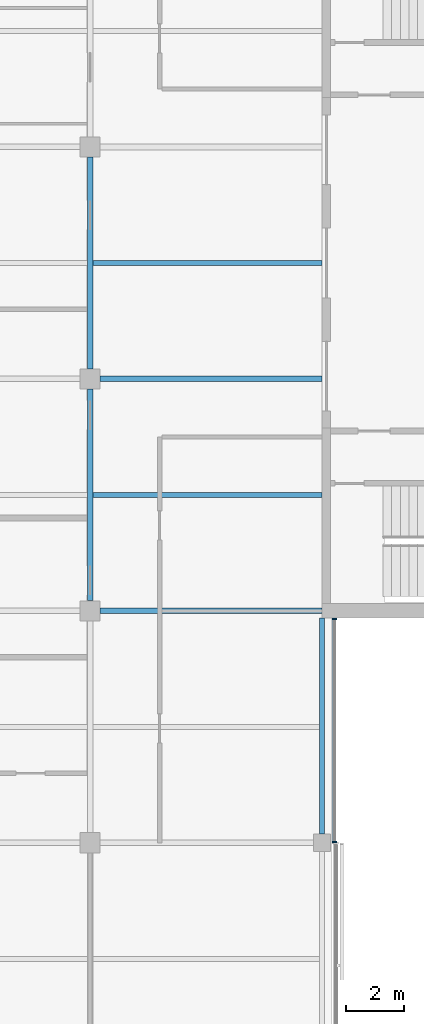
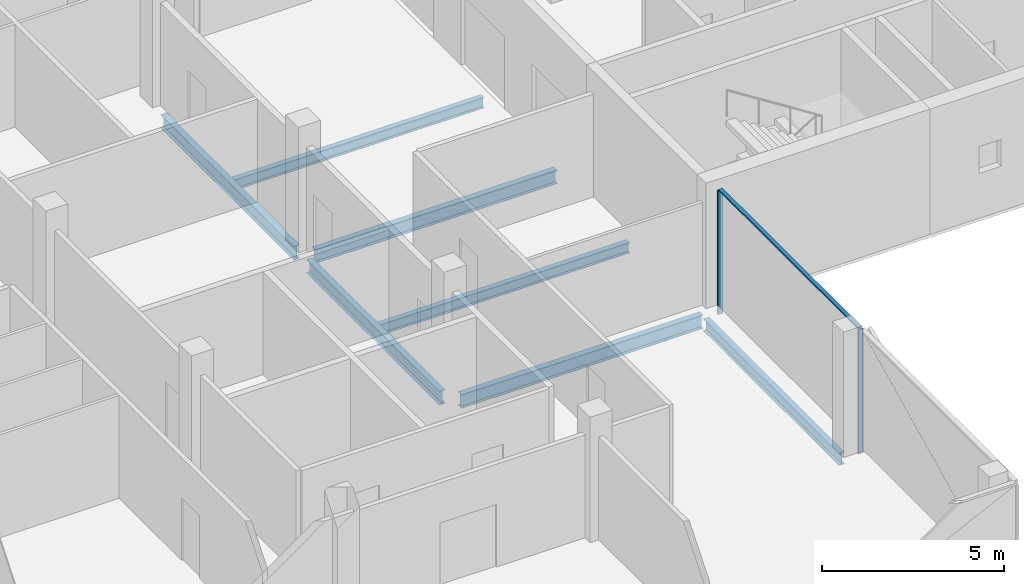
# One storey, part 4 of 16: 7 beams, 3 members, 1 element without a shape of its own.
"""IFC4 building model written with IfcOpenShell, lengths in metres."""

import ifcopenshell
import ifcopenshell.guid

model = None  # the IFC model being written
_history = None  # IfcOwnerHistory: only IFC2X3 demands one
_inside = {}  # id of a spatial element -> (the spatial element, [elements in it])
_under = {}  # id of a project, library or spatial element -> (it, [spatial elements below it])
_declared = {}  # id of a project -> (the project, [libraries it declares])
_typed = {}  # id of a type object -> (the type object, [elements of that type])
_made_of = {}  # id of a material, layer set ... -> (it, [elements and type objects made of it])


def new_model(schema):
    """Start an empty IFC model of exactly this schema.

    Asked for "IFC4X3", IfcOpenShell would pick the latest addendum, in which some entities
    have other attributes; the version numbers below select the first issue.
    IFC2X3 requires an IfcOwnerHistory on every rooted entity: one is made here for all.
    """
    global model, _history
    if schema == "IFC4X3":
        model = ifcopenshell.file(schema_version=(4, 3, 0, 0))
    else:
        model = ifcopenshell.file(schema=schema)
    _inside.clear()
    _under.clear()
    _declared.clear()
    _typed.clear()
    _made_of.clear()
    _history = None
    if model.schema == "IFC2X3":
        org = make("IfcOrganization", Name="unknown")
        user = make(
            "IfcPersonAndOrganization",
            ThePerson=make("IfcPerson", FamilyName="unknown"),
            TheOrganization=org,
        )
        app = make(
            "IfcApplication",
            ApplicationDeveloper=org,
            Version="unknown",
            ApplicationFullName="unknown",
            ApplicationIdentifier="unknown",
        )
        _history = make(
            "IfcOwnerHistory",
            OwningUser=user,
            OwningApplication=app,
            ChangeAction="ADDED",
            CreationDate=0,
        )
    return model


def make(cls, **values):
    """One entity of the class cls with the attributes given. An attribute that is None is left unset."""
    return model.create_entity(
        cls, **{name: value for name, value in values.items() if value is not None}
    )


def rooted(cls, **values):
    """An entity with a GlobalId (a new one), such as an element, a storey or a relation."""
    return make(cls, GlobalId=ifcopenshell.guid.new(), OwnerHistory=_history, **values)


def si_unit(unit_type, name, prefix=None):
    """IfcSIUnit, for example si_unit("LENGTHUNIT", "METRE", prefix="MILLI")."""
    return make("IfcSIUnit", UnitType=unit_type, Prefix=prefix, Name=name)


def assignment(units):
    """IfcUnitAssignment: the units of a project."""
    return None if units is None else make("IfcUnitAssignment", Units=units)


def point(xyz):
    """IfcCartesianPoint."""
    return None if xyz is None else make("IfcCartesianPoint", Coordinates=xyz)


def direction(xyz):
    """IfcDirection."""
    return None if xyz is None else make("IfcDirection", DirectionRatios=xyz)


def frame(location, z_axis=None, x_axis=None):
    """IfcAxis2Placement3D, a coordinate frame: its origin and axes. An axis left out is left unset."""
    return make(
        "IfcAxis2Placement3D",
        Location=point(location),
        Axis=direction(z_axis),
        RefDirection=direction(x_axis),
    )


def frame_2d(location, x_axis=None):
    """IfcAxis2Placement2D, a coordinate frame in the plane: its origin and x axis."""
    return make(
        "IfcAxis2Placement2D", Location=point(location), RefDirection=direction(x_axis)
    )


def origin():
    """The frame at (0, 0, 0) with its axes left unset."""
    return frame((0.0, 0.0, 0.0))


def origin_2d():
    """The frame at (0, 0) in the plane with its x axis left unset."""
    return frame_2d((0.0, 0.0))


def place(relative_to, where):
    """IfcLocalPlacement: puts the frame where relative to a parent placement (None: the world)."""
    return make(
        "IfcLocalPlacement", PlacementRelTo=relative_to, RelativePlacement=where
    )


def context(
    kind, dimensions, precision=None, world=None, true_north=None, identifier=None
):
    """IfcGeometricRepresentationContext, for example the 3D "Model" context."""
    return make(
        "IfcGeometricRepresentationContext",
        ContextIdentifier=identifier,
        ContextType=kind,
        CoordinateSpaceDimension=dimensions,
        Precision=precision,
        WorldCoordinateSystem=world,
        TrueNorth=true_north,
    )


def subcontext(parent, identifier, kind, view, scale=None):
    """IfcGeometricRepresentationSubContext, for example "Body" below "Model"."""
    return make(
        "IfcGeometricRepresentationSubContext",
        ContextIdentifier=identifier,
        ContextType=kind,
        ParentContext=parent,
        TargetScale=scale,
        TargetView=view,
    )


def project(units=None, contexts=None):
    """IfcProject with its units and contexts."""
    return rooted(
        "IfcProject",
        Name="project",
        RepresentationContexts=contexts,
        UnitsInContext=assignment(units),
    )


def spatial(cls, under=None, at=None, **own):
    """A site, building, storey or space (cls), placed at a placement, below another one or the project."""
    s = rooted(cls, ObjectPlacement=at, **own)
    if under is not None:
        _under.setdefault(under.id(), (under, []))[1].append(s)
    return s


def profile(cls, at=None, kind="AREA", **sizes):
    """A parametric profile (cls). Its sizes go by their IFC names, for example OverallWidth=200.0."""
    return make(cls, ProfileType=kind, Position=at, **sizes)


def rectangle(**sizes):
    """IfcRectangleProfileDef."""
    return profile("IfcRectangleProfileDef", **sizes)


def i_section(**sizes):
    """IfcIShapeProfileDef."""
    return profile("IfcIShapeProfileDef", **sizes)


def extrude(swept, where, along, depth):
    """IfcExtrudedAreaSolid: the profile swept, set in the frame where, extruded along a direction by depth."""
    return make(
        "IfcExtrudedAreaSolid",
        SweptArea=swept,
        Position=where,
        ExtrudedDirection=direction(along),
        Depth=depth,
    )


def shape(context_of_items, identifier, shape_type, items):
    """IfcShapeRepresentation: the items that make up one representation, for example the "Body"."""
    return make(
        "IfcShapeRepresentation",
        ContextOfItems=context_of_items,
        RepresentationIdentifier=identifier,
        RepresentationType=shape_type,
        Items=items,
    )


def material(Name=None, Category=None):
    """IfcMaterial."""
    return make("IfcMaterial", Name=Name, Category=Category)


def material_profile(
    of_material, cross_section, Name=None, Category=None, Priority=None
):
    """IfcMaterialProfile: a cross section and its material."""
    return make(
        "IfcMaterialProfile",
        Name=Name,
        Material=of_material,
        Profile=cross_section,
        Priority=Priority,
        Category=Category,
    )


def profile_set(profiles, Name=None, composite=None):
    """IfcMaterialProfileSet."""
    return make(
        "IfcMaterialProfileSet",
        Name=Name,
        MaterialProfiles=profiles,
        CompositeProfile=composite,
    )


def made_of(thing, what):
    """Note that an element or type object is made of a material, layer set ...; save() writes the relation."""
    if what is not None:
        _made_of.setdefault(what.id(), (what, []))[1].append(thing)
    return thing


def type_object(cls, material=None, **own):
    """A type object (cls), such as IfcWallType, which elements share."""
    return made_of(rooted(cls, **own), material)


def element(
    cls,
    number,
    at=None,
    inside=None,
    cuts=None,
    type_object=None,
    material=None,
    context=None,
    identifier="Body",
    shape_type=None,
    held_by="IfcProductDefinitionShape",
    body=None,
    shapes=None,
    **own,
):
    """One element of the class cls, such as IfcWall. Its Tag is "e" and its number.

    at: its placement. inside: the storey or other place that contains it. cuts: it is an
    opening in that element (IfcRelVoidsElement). A single representation is given by context,
    identifier, shape_type and body (its items); several are given by shapes. held_by: the class
    of the entity that holds the representations. save() writes the other relations.
    """
    e = rooted(cls, Tag="e%d" % number, ObjectPlacement=at, **own)
    if body is not None:
        shapes = [shape(context, identifier, shape_type, body)]
    if shapes is not None:
        e.Representation = make(held_by, Representations=shapes)
    if inside is not None:
        _inside.setdefault(inside.id(), (inside, []))[1].append(e)
    if cuts is not None:
        rooted(
            "IfcRelVoidsElement", RelatingBuildingElement=cuts, RelatedOpeningElement=e
        )
    if type_object is not None:
        _typed.setdefault(type_object.id(), (type_object, []))[1].append(e)
    return made_of(e, material)


def aggregate(whole, parts):
    """IfcRelAggregates: a whole, such as a stair, and the parts it consists of."""
    return rooted("IfcRelAggregates", RelatingObject=whole, RelatedObjects=parts)


def save(model, path):
    """Write the relations noted so far, then the file.

    IfcRelAggregates (storeys below a building ...), IfcRelContainedInSpatialStructure (elements
    in a storey), IfcRelDefinesByType, IfcRelAssociatesMaterial and IfcRelDeclares: one each for
    every whole, place, type object, material and project.
    """
    for whole, parts in _under.values():
        aggregate(whole, parts)
    for where, things in _inside.values():
        rooted(
            "IfcRelContainedInSpatialStructure",
            RelatedElements=things,
            RelatingStructure=where,
        )
    for kind, things in _typed.values():
        rooted("IfcRelDefinesByType", RelatedObjects=things, RelatingType=kind)
    for what, things in _made_of.values():
        rooted("IfcRelAssociatesMaterial", RelatedObjects=things, RelatingMaterial=what)
    for by, libraries in _declared.values():
        rooted("IfcRelDeclares", RelatingContext=by, RelatedDefinitions=libraries)
    model.write(path)


model = new_model("IFC4")

# Units and contexts
model_context = context("Model", 3, precision=1e-05, world=origin(), true_north=direction((0.0, 1.0)))
body_context = subcontext(model_context, "Body", "Model", "MODEL_VIEW")
ifc_project = project(units=[si_unit("LENGTHUNIT", "METRE"), si_unit("AREAUNIT", "SQUARE_METRE"), si_unit("VOLUMEUNIT", "CUBIC_METRE"), si_unit("PLANEANGLEUNIT", "RADIAN"), si_unit("MASSUNIT", "GRAM", prefix="KILO")], contexts=[model_context])

# Site, building, storey
site_placement = place(None, origin())
site = spatial("IfcSite", under=ifc_project, at=site_placement, CompositionType="ELEMENT")
building_placement = place(site_placement, origin())
building = spatial("IfcBuilding", under=site, at=building_placement, Name="Crosswind Convention Tower", CompositionType="ELEMENT")
storey_placement = place(building_placement, frame((0.0, 0.0, 278.699951171875)))
storey = spatial("IfcBuildingStorey", under=building, at=storey_placement, Name="L60", CompositionType="ELEMENT", Elevation=278.699951171875)

# Beams
ifc_material_1 = material(Name="Steel S355", Category="steel")
ifc_material_profile_1 = material_profile(ifc_material_1, i_section(OverallWidth=0.177734375, OverallDepth=0.406494140625, WebThickness=0.0078125, FlangeThickness=0.0126953125, FilletRadius=0.01025390625, at=origin_2d()), Name="UB 406x178x60")
ifc_profile_set_1 = profile_set([ifc_material_profile_1], Name="Steel S355")
beam_type_1 = type_object("IfcBeamType", Name="Edge beam UB 406x178x60", PredefinedType="SPANDREL", material=ifc_profile_set_1)
beam_placement = place(storey_placement, frame((137.0, 80.300048828125, -0.503173828125), z_axis=(0.0, 1.0, 0.0), x_axis=(-1.0, 0.0, 0.0)))
element("IfcBeam", 1, at=beam_placement, inside=storey, type_object=beam_type_1, Name="B15 L60 edge beam 12", PredefinedType="SPANDREL", context=body_context, shape_type="SweptSolid", body=[
    extrude(i_section(OverallWidth=0.177734375, OverallDepth=0.406494140625, WebThickness=0.0078125, FlangeThickness=0.0126953125, FilletRadius=0.01025390625, at=origin_2d()), origin(), (0.0, 0.0, 1.0), 7.449951171875),
])
ifc_material_profile_2 = material_profile(ifc_material_1, i_section(OverallWidth=0.18994140625, OverallDepth=0.45361328125, WebThickness=0.008544921875, FlangeThickness=0.0126953125, FilletRadius=0.01025390625, at=origin_2d()), Name="UB 457x191x67")
ifc_profile_set_2 = profile_set([ifc_material_profile_2], Name="Steel S355")
beam_type_2 = type_object("IfcBeamType", Name="Girder UB 457x191x67", PredefinedType="BEAM", material=ifc_profile_set_2)
for number, where, z_axis, x_axis, name in (
    (2, (129.0, 88.35009765625, -0.52685546875), (0.0, 1.0, 0.0), (-1.0, 0.0, 0.0), "B1 L60 girder 18"),
    (3, (129.0, 96.35009765625, -0.52685546875), (0.0, 1.0, 0.0), (-1.0, 0.0, 0.0), "B1 L60 girder 19"),
):
    element("IfcBeam", number, at=place(storey_placement, frame(where, z_axis=z_axis, x_axis=x_axis)), inside=storey, type_object=beam_type_2, Name=name, PredefinedType="BEAM", context=body_context, shape_type="SweptSolid", body=[
        extrude(i_section(OverallWidth=0.18994140625, OverallDepth=0.45361328125, WebThickness=0.008544921875, FlangeThickness=0.0126953125, FilletRadius=0.01025390625, at=origin_2d()), origin(), (0.0, 0.0, 1.0), 7.2998046875),
    ])
ifc_material_profile_3 = material_profile(ifc_material_1, i_section(OverallWidth=0.1904296875, OverallDepth=0.457275390625, WebThickness=0.009033203125, FlangeThickness=0.014404296875, FilletRadius=0.01025390625, at=origin_2d()), Name="UB 457x191x75")
ifc_profile_set_3 = profile_set([ifc_material_profile_3], Name="Steel S355")
beam_type_3 = type_object("IfcBeamType", Name="Girder at core wall UB 457x191x75", PredefinedType="BEAM", material=ifc_profile_set_3)
for number, where, z_axis, x_axis, name in (
    (4, (129.35009765625, 88.0, -0.528564453125), (1.0, 0.0, 0.0), (0.0, 1.0, 0.0), "B22 L60 girder at core wall 5"),
    (5, (129.35009765625, 96.0, -0.528564453125), (1.0, 0.0, 0.0), (0.0, 1.0, 0.0), "B22 L60 girder at core wall 6"),
):
    element("IfcBeam", number, at=place(storey_placement, frame(where, z_axis=z_axis, x_axis=x_axis)), inside=storey, type_object=beam_type_3, Name=name, PredefinedType="BEAM", context=body_context, shape_type="SweptSolid", body=[
        extrude(i_section(OverallWidth=0.1904296875, OverallDepth=0.457275390625, WebThickness=0.009033203125, FlangeThickness=0.014404296875, FilletRadius=0.01025390625, at=origin_2d()), origin(), (0.0, 0.0, 1.0), 7.64990234375),
    ])

# Curtain wall, members
ifc_material_2 = material(Name="Aluminium unitised curtain wall", Category="aluminium")
curtain_wall_type = type_object("IfcCurtainWallType", Name="CORE END SLOT WALL 160", PredefinedType="USERDEFINED", material=ifc_material_2)
curtain_wall_placement = place(storey_placement, origin())
curtain_wall = element("IfcCurtainWall", 6, at=curtain_wall_placement, inside=storey, type_object=curtain_wall_type, Name="CW6 L60 S-E.1-2 slot", ObjectType="UNITISED", PredefinedType="USERDEFINED")
ifc_material_3 = material(Name="Aluminium mullion", Category="aluminium")
ifc_material_profile_4 = material_profile(ifc_material_3, rectangle(XDim=0.159912109375, YDim=0.050048828125, at=origin_2d()), Name="AL 160X50")
ifc_profile_set_4 = profile_set([ifc_material_profile_4], Name="Aluminium mullion")
member_type_1 = type_object("IfcMemberType", Name="MULLION 50X160", PredefinedType="MULLION", material=ifc_profile_set_4)
member_1_placement = place(storey_placement, frame((137.429931640625, 80.02490234375, -0.300048828125), z_axis=(0.0, 0.0, 1.0), x_axis=(1.0, 0.0, 0.0)))
member_1 = element("IfcMember", 7, at=member_1_placement, type_object=member_type_1, Name="CW6 mullion 1", PredefinedType="MULLION", context=body_context, shape_type="SweptSolid", body=[
    extrude(rectangle(XDim=0.159912109375, YDim=0.050048828125, at=origin_2d()), origin(), (0.0, 0.0, 1.0), 4.150146484375),
])
member_2_placement = place(storey_placement, frame((137.429931640625, 87.72509765625, -0.300048828125), z_axis=(0.0, 0.0, 1.0), x_axis=(1.0, 0.0, 0.0)))
member_2 = element("IfcMember", 8, at=member_2_placement, type_object=member_type_1, Name="CW6 mullion 2", PredefinedType="MULLION", context=body_context, shape_type="SweptSolid", body=[
    extrude(rectangle(XDim=0.159912109375, YDim=0.050048828125, at=origin_2d()), origin(), (0.0, 0.0, 1.0), 4.150146484375),
])

# Beams
ifc_material_profile_5 = material_profile(ifc_material_1, i_section(OverallWidth=0.17138671875, OverallDepth=0.355712890625, WebThickness=0.00732421875, FlangeThickness=0.011474609375, FilletRadius=0.01025390625, at=origin_2d()), Name="UB 356x171x51")
ifc_profile_set_5 = profile_set([ifc_material_profile_5], Name="Steel S355")
beam_type_4 = type_object("IfcBeamType", Name="Secondary beam UB 356x171x51", PredefinedType="JOIST", material=ifc_profile_set_5)
for number, where, z_axis, x_axis, name in (
    (9, (129.094970703125, 92.0, -0.477783203125), (1.0, 0.0, 0.0), (0.0, 1.0, 0.0), "B8 L60 secondary beam 17"),
    (10, (129.094970703125, 100.0, -0.477783203125), (1.0, 0.0, 0.0), (0.0, 1.0, 0.0), "B8 L60 secondary beam 18"),
):
    element("IfcBeam", number, at=place(storey_placement, frame(where, z_axis=z_axis, x_axis=x_axis)), inside=storey, type_object=beam_type_4, Name=name, PredefinedType="JOIST", context=body_context, shape_type="SweptSolid", body=[
        extrude(i_section(OverallWidth=0.17138671875, OverallDepth=0.355712890625, WebThickness=0.00732421875, FlangeThickness=0.011474609375, FilletRadius=0.01025390625, at=origin_2d()), origin(), (0.0, 0.0, 1.0), 7.905029296875),
    ])

# Member
ifc_material_4 = material(Name="Aluminium transom", Category="aluminium")
ifc_material_profile_6 = material_profile(ifc_material_4, rectangle(XDim=0.1201171875, YDim=0.050048828125, at=origin_2d()), Name="AL 120X50")
ifc_profile_set_6 = profile_set([ifc_material_profile_6], Name="Aluminium transom")
member_type_2 = type_object("IfcMemberType", Name="TRANSOM 50X120", PredefinedType="USERDEFINED", material=ifc_profile_set_6)
member_3_placement = place(storey_placement, frame((137.429931640625, 80.050048828125, 3.875), z_axis=(0.0, 1.0, 0.0), x_axis=(-1.0, 0.0, 0.0)))
member_3 = element("IfcMember", 11, at=member_3_placement, type_object=member_type_2, Name="CW6 transom", ObjectType="TRANSOM", PredefinedType="USERDEFINED", context=body_context, shape_type="SweptSolid", body=[
    extrude(rectangle(XDim=0.1201171875, YDim=0.050048828125, at=origin_2d()), origin(), (0.0, 0.0, 1.0), 7.64990234375),
])

aggregate(curtain_wall, [member_1, member_2, member_3])

save(model, "model.ifc")
